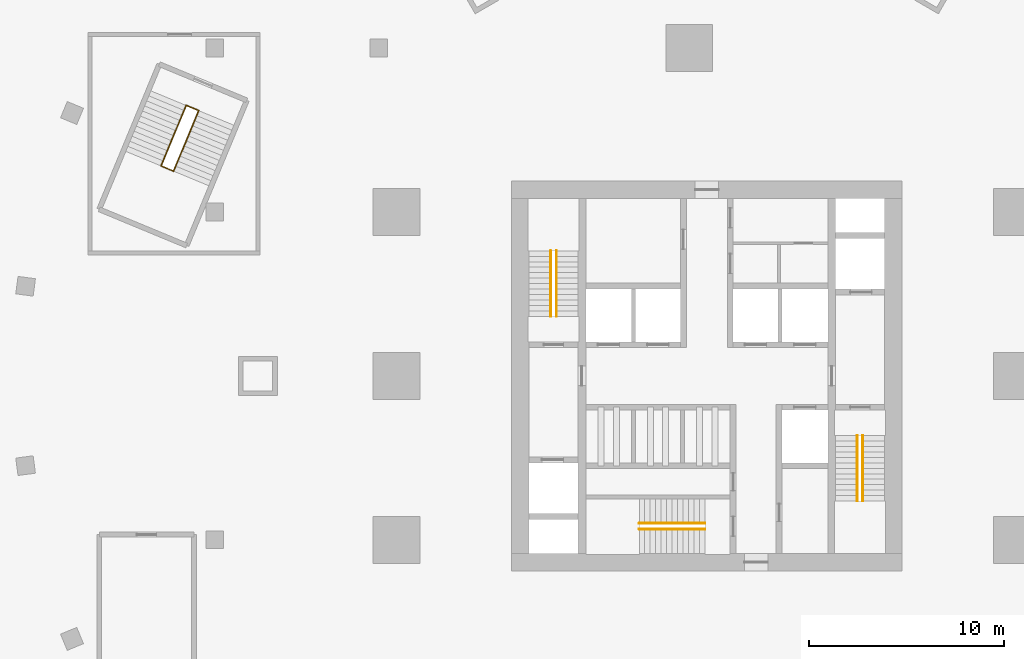
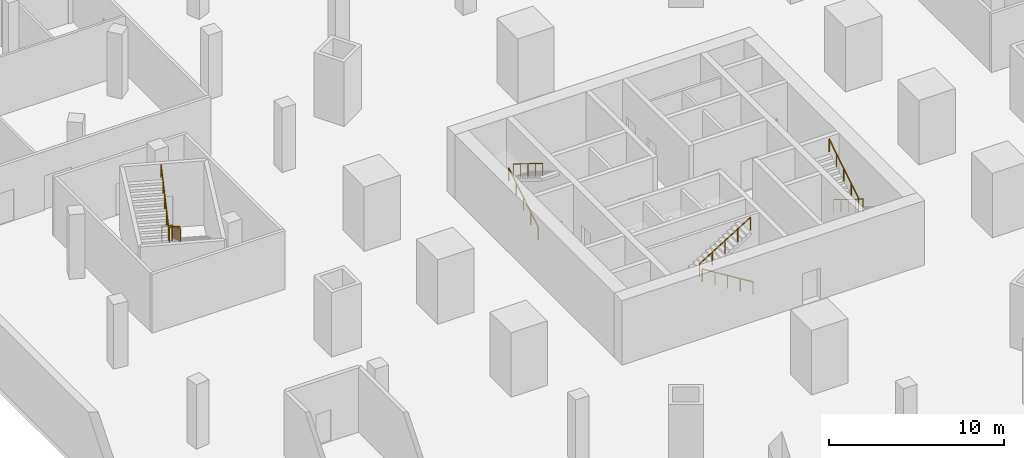
# One storey, part 8 of 9: 10 railings.
"""IFC4 building model written with IfcOpenShell, lengths in metres."""

from ifc_helpers import new_model, si_unit, direction, frame, origin, origin_2d, place, context, subcontext, project, spatial, circle, extrude, material, type_object, element, save


model = new_model("IFC4")

# Units and contexts
model_context = context("Model", 3, precision=1e-05, world=origin(), true_north=direction((0.0, 1.0)))
body_context = subcontext(model_context, "Body", "Model", "MODEL_VIEW")
ifc_project = project(units=[si_unit("LENGTHUNIT", "METRE"), si_unit("AREAUNIT", "SQUARE_METRE"), si_unit("VOLUMEUNIT", "CUBIC_METRE"), si_unit("PLANEANGLEUNIT", "RADIAN"), si_unit("MASSUNIT", "GRAM", prefix="KILO")], contexts=[model_context])

# Site, building, storey
site_placement = place(None, origin())
site = spatial("IfcSite", under=ifc_project, at=site_placement, CompositionType="ELEMENT")
building_placement = place(site_placement, origin())
building = spatial("IfcBuilding", under=site, at=building_placement, Name="Golbaran Civic Tower", CompositionType="ELEMENT")
storey_placement = place(building_placement, frame((0.0, 0.0, -4.5)))
storey = spatial("IfcBuildingStorey", under=building, at=storey_placement, Name="B1", CompositionType="ELEMENT", Elevation=-4.5)

# Railings
ifc_material_1 = material(Name="Steel balustrade", Category="steel")
railing_type_1 = type_object("IfcRailingType", Name="STAIR GUARD 1100", PredefinedType="GUARDRAIL", material=ifc_material_1)
for number, where, name in (
    (1, (-26.07470703125, 13.61474609375, 0.0), "Stair P2 well guard floor landing B1"),
    (2, (-27.360595703125, 10.510498046875, 2.25), "Stair P2 well guard half landing B1"),
):
    element("IfcRailing", number, at=place(storey_placement, frame(where)), inside=storey, type_object=railing_type_1, Name=name, PredefinedType="GUARDRAIL", context=body_context, shape_type="SweptSolid", body=[
        extrude(circle(Radius=0.02392578125, at=origin_2d()), frame((0.0, 0.0, 1.076171875), z_axis=(-0.923917630863, 0.382591441855, 0.0), x_axis=(-0.382591441855, -0.923917630863, 0.0)), (0.0, 0.0, 1.0), 0.599853515625),
        extrude(circle(Radius=0.02099609375, at=origin_2d()), origin(), (0.0, 0.0, 1.0), 1.052001953125),
        extrude(circle(Radius=0.02099609375, at=origin_2d()), frame((-0.55419921875, 0.2294921875, 0.0)), (0.0, 0.0, 1.0), 1.052001953125),
    ])
ifc_material_2 = material(Name="Stainless steel", Category="steel")
railing_type_2 = type_object("IfcRailingType", Name="STAIR HANDRAIL 900", PredefinedType="HANDRAIL", material=ifc_material_2)
railing_1_placement = place(storey_placement, frame((-8.0, 3.050048828125, 0.173095703125)))
element("IfcRailing", 3, at=railing_1_placement, inside=storey, type_object=railing_type_2, Name="Stair S1 handrail flight 1 B1", PredefinedType="HANDRAIL", context=body_context, shape_type="SweptSolid", body=[
    extrude(circle(Radius=0.02392578125, at=origin_2d()), frame((0.0, 0.0, 0.8759765625), z_axis=(0.0, 0.850606129759, 0.525803396734), x_axis=(-1.0, 0.0, 0.0)), (0.0, 0.0, 1.0), 3.949951171875),
    extrude(circle(Radius=0.02099609375, at=origin_2d()), origin(), (0.0, 0.0, 1.0), 0.851806640625),
    extrude(circle(Radius=0.02099609375, at=origin_2d()), frame((0.0, 0.83984375, 0.519287109375)), (0.0, 0.0, 1.0), 0.851806640625),
    extrude(circle(Radius=0.02099609375, at=origin_2d()), frame((0.0, 1.679931640625, 1.03857421875)), (0.0, 0.0, 1.0), 0.851806640625),
    extrude(circle(Radius=0.02099609375, at=origin_2d()), frame((0.0, 2.52001953125, 1.5576171875)), (0.0, 0.0, 1.0), 0.851806640625),
    extrude(circle(Radius=0.02099609375, at=origin_2d()), frame((0.0, 3.35986328125, 2.076904296875)), (0.0, 0.0, 1.0), 0.851806640625),
])
for number, where, name in (
    (4, (-7.699951171875, 6.409912109375, 2.423095703125), "Stair S1 handrail flight 2 B1"),
    (5, (8.0, -3.050048828125, 0.173095703125), "Stair S2 handrail flight 1 B1"),
):
    element("IfcRailing", number, at=place(storey_placement, frame(where)), inside=storey, type_object=railing_type_2, Name=name, PredefinedType="HANDRAIL", context=body_context, shape_type="SweptSolid", body=[
        extrude(circle(Radius=0.02392578125, at=origin_2d()), frame((0.0, 0.0, 0.8759765625), z_axis=(0.0, -0.850606129759, 0.525803396734), x_axis=(1.0, 0.0, 0.0)), (0.0, 0.0, 1.0), 3.949951171875),
        extrude(circle(Radius=0.02099609375, at=origin_2d()), origin(), (0.0, 0.0, 1.0), 0.851806640625),
        extrude(circle(Radius=0.02099609375, at=origin_2d()), frame((0.0, -0.83984375, 0.519287109375)), (0.0, 0.0, 1.0), 0.851806640625),
        extrude(circle(Radius=0.02099609375, at=origin_2d()), frame((0.0, -1.679931640625, 1.03857421875)), (0.0, 0.0, 1.0), 0.851806640625),
        extrude(circle(Radius=0.02099609375, at=origin_2d()), frame((0.0, -2.52001953125, 1.5576171875)), (0.0, 0.0, 1.0), 0.851806640625),
        extrude(circle(Radius=0.02099609375, at=origin_2d()), frame((0.0, -3.35986328125, 2.076904296875)), (0.0, 0.0, 1.0), 0.851806640625),
    ])
railing_2_placement = place(storey_placement, frame((7.699951171875, -6.409912109375, 2.423095703125)))
element("IfcRailing", 6, at=railing_2_placement, inside=storey, type_object=railing_type_2, Name="Stair S2 handrail flight 2 B1", PredefinedType="HANDRAIL", context=body_context, shape_type="SweptSolid", body=[
    extrude(circle(Radius=0.02392578125, at=origin_2d()), frame((0.0, 0.0, 0.8759765625), z_axis=(0.0, 0.850606129759, 0.525803396734), x_axis=(-1.0, 0.0, 0.0)), (0.0, 0.0, 1.0), 3.949951171875),
    extrude(circle(Radius=0.02099609375, at=origin_2d()), origin(), (0.0, 0.0, 1.0), 0.851806640625),
    extrude(circle(Radius=0.02099609375, at=origin_2d()), frame((0.0, 0.83984375, 0.519287109375)), (0.0, 0.0, 1.0), 0.851806640625),
    extrude(circle(Radius=0.02099609375, at=origin_2d()), frame((0.0, 1.679931640625, 1.03857421875)), (0.0, 0.0, 1.0), 0.851806640625),
    extrude(circle(Radius=0.02099609375, at=origin_2d()), frame((0.0, 2.52001953125, 1.5576171875)), (0.0, 0.0, 1.0), 0.851806640625),
    extrude(circle(Radius=0.02099609375, at=origin_2d()), frame((0.0, 3.35986328125, 2.076904296875)), (0.0, 0.0, 1.0), 0.851806640625),
])
railing_3_placement = place(storey_placement, frame((-0.10009765625, -7.85009765625, 0.173095703125)))
element("IfcRailing", 7, at=railing_3_placement, inside=storey, type_object=railing_type_2, Name="Stair S3 handrail flight 1 B1", PredefinedType="HANDRAIL", context=body_context, shape_type="SweptSolid", body=[
    extrude(circle(Radius=0.02392578125, at=origin_2d()), frame((0.0, 0.0, 0.8759765625), z_axis=(-0.850606129759, 0.0, 0.525803396734), x_axis=(0.0, -1.0, 0.0)), (0.0, 0.0, 1.0), 3.949951171875),
    extrude(circle(Radius=0.02099609375, at=origin_2d()), origin(), (0.0, 0.0, 1.0), 0.851806640625),
    extrude(circle(Radius=0.02099609375, at=origin_2d()), frame((-0.83984375, 0.0, 0.519287109375)), (0.0, 0.0, 1.0), 0.851806640625),
    extrude(circle(Radius=0.02099609375, at=origin_2d()), frame((-1.679931640625, 0.0, 1.03857421875)), (0.0, 0.0, 1.0), 0.851806640625),
    extrude(circle(Radius=0.02099609375, at=origin_2d()), frame((-2.52001953125, 0.0, 1.5576171875)), (0.0, 0.0, 1.0), 0.851806640625),
    extrude(circle(Radius=0.02099609375, at=origin_2d()), frame((-3.35986328125, 0.0, 2.076904296875)), (0.0, 0.0, 1.0), 0.851806640625),
])
railing_4_placement = place(storey_placement, frame((-3.4599609375, -7.550048828125, 2.423095703125)))
element("IfcRailing", 8, at=railing_4_placement, inside=storey, type_object=railing_type_2, Name="Stair S3 handrail flight 2 B1", PredefinedType="HANDRAIL", context=body_context, shape_type="SweptSolid", body=[
    extrude(circle(Radius=0.02392578125, at=origin_2d()), frame((0.0, 0.0, 0.8759765625), z_axis=(0.850606129759, 0.0, 0.525803396734), x_axis=(0.0, 1.0, 0.0)), (0.0, 0.0, 1.0), 3.949951171875),
    extrude(circle(Radius=0.02099609375, at=origin_2d()), origin(), (0.0, 0.0, 1.0), 0.851806640625),
    extrude(circle(Radius=0.02099609375, at=origin_2d()), frame((0.83984375, 0.0, 0.519287109375)), (0.0, 0.0, 1.0), 0.851806640625),
    extrude(circle(Radius=0.02099609375, at=origin_2d()), frame((1.679931640625, 0.0, 1.03857421875)), (0.0, 0.0, 1.0), 0.851806640625),
    extrude(circle(Radius=0.02099609375, at=origin_2d()), frame((2.52001953125, 0.0, 1.5576171875)), (0.0, 0.0, 1.0), 0.851806640625),
    extrude(circle(Radius=0.02099609375, at=origin_2d()), frame((3.35986328125, 0.0, 2.076904296875)), (0.0, 0.0, 1.0), 0.851806640625),
])
railing_5_placement = place(storey_placement, frame((-26.028564453125, 13.595458984375, 0.173095703125)))
element("IfcRailing", 9, at=railing_5_placement, inside=storey, type_object=railing_type_2, Name="Stair P2 handrail flight 1 B1", PredefinedType="HANDRAIL", context=body_context, shape_type="SweptSolid", body=[
    extrude(circle(Radius=0.02392578125, at=origin_2d()), frame((0.0, 0.0, 0.8759765625), z_axis=(-0.325492629676, -0.785855164015, 0.525819559562), x_axis=(0.923887528372, -0.38266412808, 0.0)), (0.0, 0.0, 1.0), 3.949951171875),
    extrude(circle(Radius=0.02099609375, at=origin_2d()), origin(), (0.0, 0.0, 1.0), 0.851806640625),
    extrude(circle(Radius=0.02099609375, at=origin_2d()), frame((-0.3212890625, -0.77587890625, 0.519287109375)), (0.0, 0.0, 1.0), 0.851806640625),
    extrude(circle(Radius=0.02099609375, at=origin_2d()), frame((-0.642822265625, -1.552001953125, 1.03857421875)), (0.0, 0.0, 1.0), 0.851806640625),
    extrude(circle(Radius=0.02099609375, at=origin_2d()), frame((-0.96435546875, -2.328125, 1.5576171875)), (0.0, 0.0, 1.0), 0.851806640625),
    extrude(circle(Radius=0.02099609375, at=origin_2d()), frame((-1.28564453125, -3.10400390625, 2.076904296875)), (0.0, 0.0, 1.0), 0.851806640625),
])
railing_6_placement = place(storey_placement, frame((-27.9609375, 10.75927734375, 2.423095703125)))
element("IfcRailing", 10, at=railing_6_placement, inside=storey, type_object=railing_type_2, Name="Stair P2 handrail flight 2 B1", PredefinedType="HANDRAIL", context=body_context, shape_type="SweptSolid", body=[
    extrude(circle(Radius=0.02392578125, at=origin_2d()), frame((0.0, 0.0, 0.8759765625), z_axis=(0.325476819766, 0.785878800478, 0.525794019321), x_axis=(-0.923898168054, 0.382638439086, 0.0)), (0.0, 0.0, 1.0), 3.949951171875),
    extrude(circle(Radius=0.02099609375, at=origin_2d()), origin(), (0.0, 0.0, 1.0), 0.851806640625),
    extrude(circle(Radius=0.02099609375, at=origin_2d()), frame((0.3212890625, 0.776123046875, 0.519287109375)), (0.0, 0.0, 1.0), 0.851806640625),
    extrude(circle(Radius=0.02099609375, at=origin_2d()), frame((0.642822265625, 1.55224609375, 1.03857421875)), (0.0, 0.0, 1.0), 0.851806640625),
    extrude(circle(Radius=0.02099609375, at=origin_2d()), frame((0.96435546875, 2.328125, 1.5576171875)), (0.0, 0.0, 1.0), 0.851806640625),
    extrude(circle(Radius=0.02099609375, at=origin_2d()), frame((1.28564453125, 3.104248046875, 2.076904296875)), (0.0, 0.0, 1.0), 0.851806640625),
])

save(model, "model.ifc")
